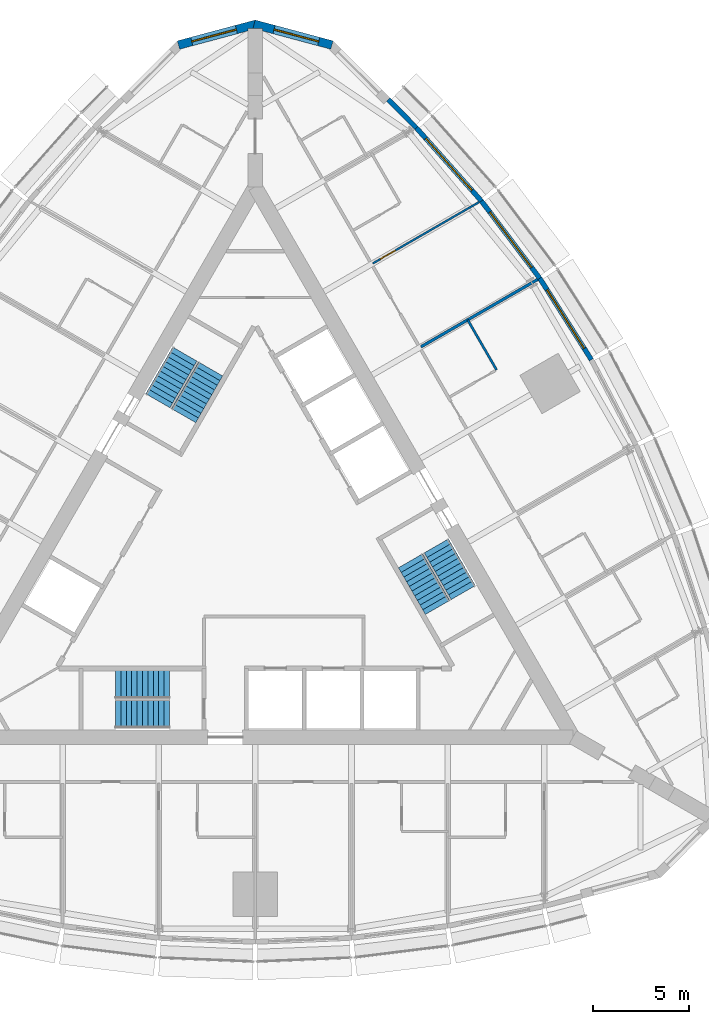
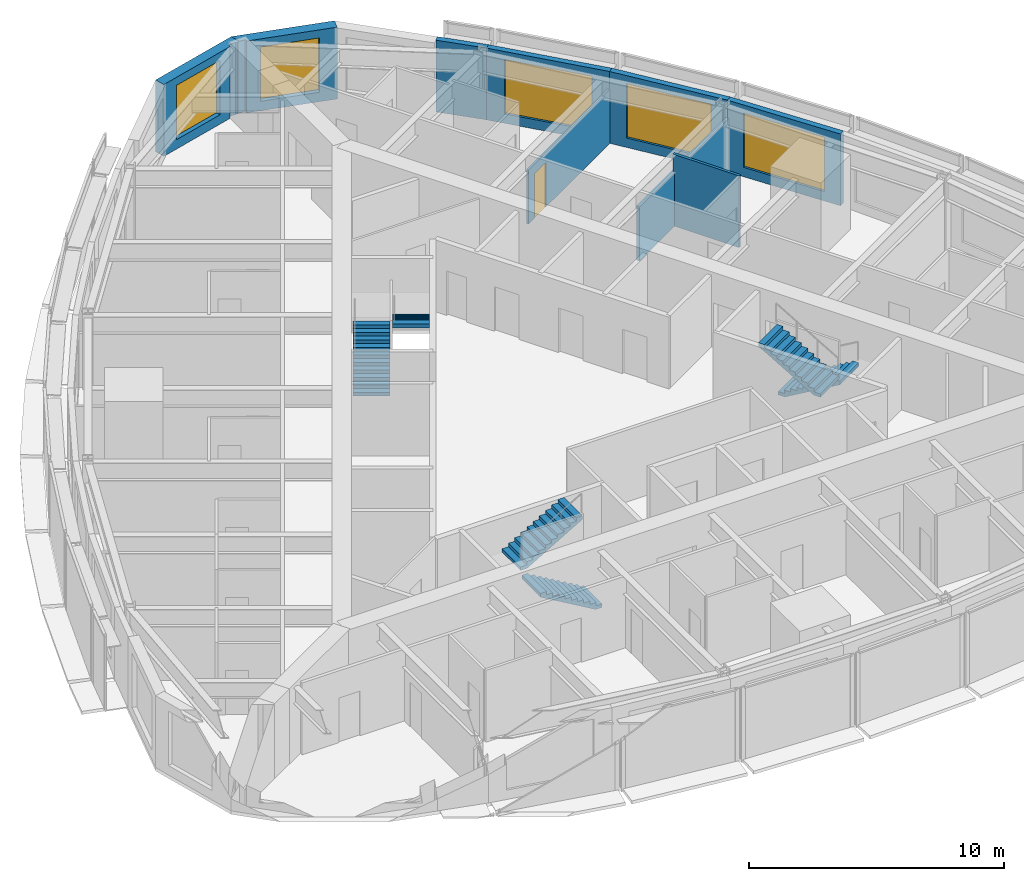
# One storey, part 14 of 15: 9 walls, 6 stair flights, 5 windows, 1 door, 6 openings, 3 elements without a shape of their own.
"""IFC4 building model written with IfcOpenShell, lengths in metres."""

from ifc_helpers import new_model, si_unit, direction, frame, frame_2d, origin, place, context, subcontext, project, spatial, polyline, rectangle, outline, extrude, material, layer, layer_set, type_object, element, fill, aggregate, save


model = new_model("IFC4")

# Units and contexts
model_context = context("Model", 3, precision=1e-05, world=origin(), true_north=direction((0.0, 1.0)))
body_context = subcontext(model_context, "Body", "Model", "MODEL_VIEW")
ifc_project = project(units=[si_unit("LENGTHUNIT", "METRE"), si_unit("AREAUNIT", "SQUARE_METRE"), si_unit("VOLUMEUNIT", "CUBIC_METRE"), si_unit("PLANEANGLEUNIT", "RADIAN"), si_unit("MASSUNIT", "GRAM", prefix="KILO")], contexts=[model_context])

# Site, building, storey
site_placement = place(None, origin())
site = spatial("IfcSite", under=ifc_project, at=site_placement, CompositionType="ELEMENT")
building_placement = place(site_placement, origin())
building = spatial("IfcBuilding", under=site, at=building_placement, Name="Trikona Tower", CompositionType="ELEMENT")
storey_placement = place(building_placement, frame((0.0, 0.0, 218.89990234375)))
storey = spatial("IfcBuildingStorey", under=building, at=storey_placement, Name="L58", CompositionType="ELEMENT", Elevation=218.89990234375)

# Wall
ifc_material_1 = material(Name="Metal stud and cement board", Category="gypsum")
ifc_layer_1 = layer(ifc_material_1, 0.1201171875)
ifc_layer_set_1 = layer_set([ifc_layer_1], Name="Bathroom wall 120")
wall_type_1 = type_object("IfcWallType", Name="Bathroom wall 120", PredefinedType="PLUMBINGWALL", material=ifc_layer_set_1)
wall_1_placement = place(storey_placement, frame((12.53271484375, 9.545166015625, 0.0), z_axis=(0.0, 0.0, 1.0), x_axis=(-0.499990139034, 0.866031096941, 0.0)))
element("IfcWall", 1, at=wall_1_placement, inside=storey, type_object=wall_type_1, Name="Bathroom wall 5808", PredefinedType="PLUMBINGWALL", context=body_context, shape_type="SweptSolid", body=[
    extrude(rectangle(XDim=3.0, YDim=0.1201171875, at=frame_2d((1.5, 0.0))), origin(), (0.0, 0.0, 1.0), 3.43505859375),
])

# Wall, opening, window
ifc_material_2 = material(Name="Brick-faced precast concrete", Category="masonry")
ifc_layer_2 = layer(ifc_material_2, 0.449951171875)
ifc_layer_set_2 = layer_set([ifc_layer_2], Name="Brick-faced corner wall 450")
wall_type_2 = type_object("IfcWallType", Name="Brick-faced corner wall 450", PredefinedType="SOLIDWALL", material=ifc_layer_set_2)
wall_2_placement = place(storey_placement, frame((3.9833984375, 26.41259765625, 0.0), z_axis=(0.0, 0.0, 1.0), x_axis=(-0.965920442324, 0.258839137498, 0.0)))
wall_2 = element("IfcWall", 2, at=wall_2_placement, inside=storey, type_object=wall_type_2, Name="External wall L58-21", PredefinedType="SOLIDWALL", context=body_context, shape_type="SweptSolid", body=[
    extrude(outline(polyline([(4.18408203125, 0.22509765625), (4.124267578125, 0.22509765625), (3.70556640625, 0.11279296875), (3.675537109375, 0.22509765625), (0.0, 0.22509765625), (0.0, -0.22509765625), (4.18408203125, -0.22509765625), (4.18408203125, 0.22509765625)])), origin(), (0.0, 0.0, 1.0), 3.43505859375),
])
opening_1_placement = place(wall_2_placement, frame((0.712646484375, 0.0, 0.449951171875)))
opening_1 = element("IfcOpeningElement", 3, at=opening_1_placement, cuts=wall_2, Name="Opening W2426", PredefinedType="OPENING", context=body_context, shape_type="SweptSolid", body=[
    extrude(rectangle(XDim=2.39990234375, YDim=2.60009765625, at=frame_2d((1.199951171875, 1.300048828125))), frame((0.0, 0.23486328125, 0.0), z_axis=(0.0, -1.0, 0.0), x_axis=(1.0, 0.0, 0.0)), (0.0, 0.0, 1.0), 0.469970703125),
])
ifc_material_3 = material(Name="Aluminium-framed double glazing", Category="aluminium")
window_type_1 = type_object("IfcWindowType", Name="Window 2400x2600", PartitioningType="SINGLE_PANEL", PredefinedType="WINDOW", material=ifc_material_3)
window_1_placement = place(opening_1_placement, origin())
window_1 = element("IfcWindow", 4, at=window_1_placement, inside=storey, type_object=window_type_1, Name="Window 5810", OverallHeight=2.60009765625, OverallWidth=2.39990234375, PartitioningType="SINGLE_PANEL", PredefinedType="WINDOW", context=body_context, shape_type="SweptSolid", body=[
    extrude(rectangle(XDim=2.39990234375, YDim=2.60009765625, at=frame_2d((1.199951171875, 1.300048828125))), frame((0.0, 0.030029296875, 0.0), z_axis=(0.0, -1.0, 0.0), x_axis=(1.0, 0.0, 0.0)), (0.0, 0.0, 1.0), 0.06005859375),
])
fill(opening_1, window_1)

wall_3_placement = place(storey_placement, frame((0.05810546875, 27.49560546875, 0.0), z_axis=(0.0, 0.0, 1.0), x_axis=(-0.965920442324, -0.258839137498, 0.0)))
wall_3 = element("IfcWall", 5, at=wall_3_placement, inside=storey, type_object=wall_type_2, Name="External wall L58-22", PredefinedType="SOLIDWALL", context=body_context, shape_type="SweptSolid", body=[
    extrude(outline(polyline([(4.18408203125, 0.22509765625), (0.5087890625, 0.22509765625), (0.478515625, 0.11279296875), (0.059814453125, 0.22509765625), (0.0, 0.22509765625), (0.0, -0.22509765625), (4.18408203125, -0.22509765625), (4.18408203125, 0.22509765625)])), origin(), (0.0, 0.0, 1.0), 3.43505859375),
])
opening_2_placement = place(wall_3_placement, frame((1.0712890625, 0.0, 0.449951171875)))
opening_2 = element("IfcOpeningElement", 6, at=opening_2_placement, cuts=wall_3, Name="Opening W2426", PredefinedType="OPENING", context=body_context, shape_type="SweptSolid", body=[
    extrude(rectangle(XDim=2.39990234375, YDim=2.60009765625, at=frame_2d((1.199951171875, 1.300048828125))), frame((0.0, 0.23486328125, 0.0), z_axis=(0.0, -1.0, 0.0), x_axis=(1.0, 0.0, 0.0)), (0.0, 0.0, 1.0), 0.469970703125),
])
window_2_placement = place(opening_2_placement, origin())
window_2 = element("IfcWindow", 7, at=window_2_placement, inside=storey, type_object=window_type_1, Name="Window 5811", OverallHeight=2.60009765625, OverallWidth=2.39990234375, PartitioningType="SINGLE_PANEL", PredefinedType="WINDOW", context=body_context, shape_type="SweptSolid", body=[
    extrude(rectangle(XDim=2.39990234375, YDim=2.60009765625, at=frame_2d((1.199951171875, 1.300048828125))), frame((0.0, 0.030029296875, 0.0), z_axis=(0.0, -1.0, 0.0), x_axis=(1.0, 0.0, 0.0)), (0.0, 0.0, 1.0), 0.06005859375),
])
fill(opening_2, window_2)

ifc_material_4 = material(Name="Insulated precast concrete spandrel panel", Category="concrete")
ifc_layer_3 = layer(ifc_material_4, 0.25)
ifc_layer_set_3 = layer_set([ifc_layer_3], Name="Inner skin wall 250")
wall_type_3 = type_object("IfcWallType", Name="Inner skin wall 250", PredefinedType="STANDARD", material=ifc_layer_set_3)
wall_4_placement = place(storey_placement, frame((17.45556640625, 10.072021484375, 0.0), z_axis=(0.0, 0.0, 1.0), x_axis=(-0.535220361449, 0.844712474568, 0.0)))
wall_4 = element("IfcWall", 8, at=wall_4_placement, inside=storey, type_object=wall_type_3, Name="External wall L58-16", PredefinedType="STANDARD", context=body_context, shape_type="SweptSolid", body=[
    extrude(rectangle(XDim=5.00439453125, YDim=0.25, at=frame_2d((2.502197265625, 0.0))), origin(), (0.0, 0.0, 1.0), 3.43505859375),
])
opening_3_placement = place(wall_4_placement, frame((0.7021484375, 0.0, 0.449951171875)))
opening_3 = element("IfcOpeningElement", 9, at=opening_3_placement, cuts=wall_4, Name="Opening W3626", PredefinedType="OPENING", context=body_context, shape_type="SweptSolid", body=[
    extrude(rectangle(XDim=3.60009765625, YDim=2.60009765625, at=frame_2d((1.800048828125, 1.300048828125))), frame((0.0, 0.135009765625, 0.0), z_axis=(0.0, -1.0, 0.0), x_axis=(1.0, 0.0, 0.0)), (0.0, 0.0, 1.0), 0.27001953125),
])
ifc_material_5 = material(Name="Aluminium-framed double glazing", Category="aluminium")
window_type_2 = type_object("IfcWindowType", Name="Window 3600x2600", PartitioningType="SINGLE_PANEL", PredefinedType="WINDOW", material=ifc_material_5)
window_3_placement = place(opening_3_placement, origin())
window_3 = element("IfcWindow", 10, at=window_3_placement, inside=storey, type_object=window_type_2, Name="Window 5808", OverallHeight=2.60009765625, OverallWidth=3.60009765625, PartitioningType="SINGLE_PANEL", PredefinedType="WINDOW", context=body_context, shape_type="SweptSolid", body=[
    extrude(rectangle(XDim=3.60009765625, YDim=2.60009765625, at=frame_2d((1.800048828125, 1.300048828125))), frame((0.0, 0.030029296875, 0.0), z_axis=(0.0, -1.0, 0.0), x_axis=(1.0, 0.0, 0.0)), (0.0, 0.0, 1.0), 0.06005859375),
])
fill(opening_3, window_3)

wall_5_placement = place(storey_placement, frame((14.782958984375, 14.290771484375, 0.0), z_axis=(0.0, 0.0, 1.0), x_axis=(-0.602408653511, 0.798187831388, 0.0)))
wall_5 = element("IfcWall", 11, at=wall_5_placement, inside=storey, type_object=wall_type_3, Name="External wall L58-17", PredefinedType="STANDARD", context=body_context, shape_type="SweptSolid", body=[
    extrude(rectangle(XDim=5.037841796875, YDim=0.25, at=frame_2d((2.51904296875, 0.0))), origin(), (0.0, 0.0, 1.0), 3.43505859375),
])
opening_4_placement = place(wall_5_placement, frame((0.718994140625, 0.0, 0.449951171875)))
opening_4 = element("IfcOpeningElement", 12, at=opening_4_placement, cuts=wall_5, Name="Opening W3626", PredefinedType="OPENING", context=body_context, shape_type="SweptSolid", body=[
    extrude(rectangle(XDim=3.60009765625, YDim=2.60009765625, at=frame_2d((1.800048828125, 1.300048828125))), frame((0.0, 0.135009765625, 0.0), z_axis=(0.0, -1.0, 0.0), x_axis=(1.0, 0.0, 0.0)), (0.0, 0.0, 1.0), 0.27001953125),
])
window_4_placement = place(opening_4_placement, origin())
window_4 = element("IfcWindow", 13, at=window_4_placement, inside=storey, type_object=window_type_2, Name="Window 5809", OverallHeight=2.60009765625, OverallWidth=3.60009765625, PartitioningType="SINGLE_PANEL", PredefinedType="WINDOW", context=body_context, shape_type="SweptSolid", body=[
    extrude(rectangle(XDim=3.60009765625, YDim=2.60009765625, at=frame_2d((1.800048828125, 1.300048828125))), frame((0.0, 0.030029296875, 0.0), z_axis=(0.0, -1.0, 0.0), x_axis=(1.0, 0.0, 0.0)), (0.0, 0.0, 1.0), 0.06005859375),
])
fill(opening_4, window_4)

wall_6_placement = place(storey_placement, frame((11.75439453125, 18.304443359375, 0.0), z_axis=(0.0, 0.0, 1.0), x_axis=(-0.664348996191, 0.747422511876, 0.0)))
wall_6 = element("IfcWall", 14, at=wall_6_placement, inside=storey, type_object=wall_type_3, Name="External wall L58-18", PredefinedType="STANDARD", context=body_context, shape_type="SweptSolid", body=[
    extrude(rectangle(XDim=5.104736328125, YDim=0.25, at=frame_2d((2.55224609375, 0.0))), origin(), (0.0, 0.0, 1.0), 3.43505859375),
])
opening_5_placement = place(wall_6_placement, frame((0.75244140625, 0.0, 0.449951171875)))
opening_5 = element("IfcOpeningElement", 15, at=opening_5_placement, cuts=wall_6, Name="Opening W3626", PredefinedType="OPENING", context=body_context, shape_type="SweptSolid", body=[
    extrude(rectangle(XDim=3.60009765625, YDim=2.60009765625, at=frame_2d((1.800048828125, 1.300048828125))), frame((0.0, 0.135009765625, 0.0), z_axis=(0.0, -1.0, 0.0), x_axis=(1.0, 0.0, 0.0)), (0.0, 0.0, 1.0), 0.27001953125),
])
window_5_placement = place(opening_5_placement, origin())
window_5 = element("IfcWindow", 16, at=window_5_placement, inside=storey, type_object=window_type_2, Name="Window 5809.1", OverallHeight=2.60009765625, OverallWidth=3.60009765625, PartitioningType="SINGLE_PANEL", PredefinedType="WINDOW", context=body_context, shape_type="SweptSolid", body=[
    extrude(rectangle(XDim=3.60009765625, YDim=2.60009765625, at=frame_2d((1.800048828125, 1.300048828125))), frame((0.0, 0.030029296875, 0.0), z_axis=(0.0, -1.0, 0.0), x_axis=(1.0, 0.0, 0.0)), (0.0, 0.0, 1.0), 0.06005859375),
])
fill(opening_5, window_5)

# Walls
wall_7_placement = place(storey_placement, frame((8.36767578125, 22.11474609375, 0.0), z_axis=(0.0, 0.0, 1.0), x_axis=(-0.704149946111, 0.710051303352, 0.0)))
element("IfcWall", 17, at=wall_7_placement, inside=storey, type_object=wall_type_3, Name="External wall L58-19", PredefinedType="STANDARD", context=body_context, shape_type="SweptSolid", body=[
    extrude(rectangle(XDim=2.068603515625, YDim=0.25, at=frame_2d((1.0341796875, 0.0))), origin(), (0.0, 0.0, 1.0), 3.43505859375),
])
ifc_material_6 = material(Name="Metal stud and gypsum board, 1-hour acoustic", Category="gypsum")
ifc_layer_4 = layer(ifc_material_6, 0.14990234375)
ifc_layer_set_4 = layer_set([ifc_layer_4], Name="Party wall 150")
wall_type_4 = type_object("IfcWallType", Name="Party wall 150", PredefinedType="PARTITIONING", material=ifc_layer_set_4)
wall_8_placement = place(storey_placement, frame((8.60791015625, 10.743408203125, 0.0), z_axis=(0.0, 0.0, 1.0), x_axis=(0.86604781716, 0.499961176886, 0.0)))
element("IfcWall", 18, at=wall_8_placement, inside=storey, type_object=wall_type_4, Name="Partition L58 F2 u5", PredefinedType="PARTITIONING", context=body_context, shape_type="SweptSolid", body=[
    extrude(rectangle(XDim=6.99365234375, YDim=0.14990234375, at=frame_2d((3.496826171875, 0.0))), origin(), (0.0, 0.0, 1.0), 2.58935546875),
])

# Wall, opening, door
ifc_material_7 = material(Name="Metal stud and gypsum board, acoustic", Category="gypsum")
ifc_layer_5 = layer(ifc_material_7, 0.10009765625)
ifc_layer_set_5 = layer_set([ifc_layer_5], Name="Suite partition 100")
wall_type_5 = type_object("IfcWallType", Name="Suite partition 100", PredefinedType="PARTITIONING", material=ifc_layer_set_5)
wall_9_placement = place(storey_placement, frame((6.10791015625, 15.073486328125, 0.0), z_axis=(0.0, 0.0, 1.0), x_axis=(0.866035028144, 0.499983329749, 0.0)))
wall_9 = element("IfcWall", 19, at=wall_9_placement, inside=storey, type_object=wall_type_5, Name="Suite partition L58 F2 u10", PredefinedType="PARTITIONING", context=body_context, shape_type="SweptSolid", body=[
    extrude(rectangle(XDim=6.372802734375, YDim=0.10009765625, at=frame_2d((3.1865234375, 0.0))), origin(), (0.0, 0.0, 1.0), 2.58935546875),
])
opening_6_placement = place(wall_9_placement, frame((0.449951171875, 0.0, 0.0)))
opening_6 = element("IfcOpeningElement", 20, at=opening_6_placement, cuts=wall_9, Name="Opening D13", PredefinedType="OPENING", context=body_context, shape_type="SweptSolid", body=[
    extrude(rectangle(XDim=0.89990234375, YDim=2.1298828125, at=frame_2d((0.449951171875, 1.06494140625))), frame((0.0, 0.06005859375, 0.0), z_axis=(0.0, -1.0, 0.0), x_axis=(1.0, 0.0, 0.0)), (0.0, 0.0, 1.0), 0.1201171875),
])
ifc_material_8 = material(Name="Steel door frame with solid-core timber leaf", Category="steel")
door_type = type_object("IfcDoorType", Name="Suite door 900x2130", OperationType="SINGLE_SWING_LEFT", PredefinedType="DOOR", material=ifc_material_8)
door_placement = place(opening_6_placement, origin())
door = element("IfcDoor", 21, at=door_placement, inside=storey, type_object=door_type, Name="Suite door 5809", OperationType="SINGLE_SWING_LEFT", OverallHeight=2.1298828125, OverallWidth=0.89990234375, PredefinedType="DOOR", context=body_context, shape_type="SweptSolid", body=[
    extrude(rectangle(XDim=0.89990234375, YDim=2.1298828125, at=frame_2d((0.449951171875, 1.06494140625))), frame((0.0, 0.02490234375, 0.0), z_axis=(0.0, -1.0, 0.0), x_axis=(1.0, 0.0, 0.0)), (0.0, 0.0, 1.0), 0.050048828125),
])
fill(opening_6, door)

# Stair, stair flights
ifc_material_9 = material(Name="Concrete f'c 5000 psi", Category="concrete")
stair_type = type_object("IfcStairType", Name="Core stair", PredefinedType="HALF_TURN_STAIR", material=ifc_material_9)
stair_1_placement = place(storey_placement, origin())
stair_1 = element("IfcStair", 22, at=stair_1_placement, inside=storey, type_object=stair_type, Name="Stair A L58", PredefinedType="HALF_TURN_STAIR")
ifc_material_10 = material(Name="Concrete f'c 5000 psi", Category="concrete")
stair_flight_type = type_object("IfcStairFlightType", Name="Core stair flight 1450", PredefinedType="STRAIGHT", material=ifc_material_10)
stair_flight_1_placement = place(storey_placement, frame((-4.449951171875, -8.351318359375, 0.0), z_axis=(0.0, 0.0, 1.0), x_axis=(-1.0, 0.0, 0.0)))
stair_flight_1 = element("IfcStairFlight", 23, at=stair_flight_1_placement, type_object=stair_flight_type, Name="ST-A flight 1", NumberOfRisers=11, NumberOfTreads=10, PredefinedType="STRAIGHT", RiserHeight=0.163636, TreadLength=0.28, context=body_context, shape_type="SweptSolid", body=[
    extrude(outline(polyline([(0.0, 0.0), (0.0, 0.16357421875), (0.280029296875, 0.16357421875), (0.280029296875, 0.327392578125), (0.56005859375, 0.327392578125), (0.56005859375, 0.490966796875), (0.840087890625, 0.490966796875), (0.840087890625, 0.654541015625), (1.1201171875, 0.654541015625), (1.1201171875, 0.818115234375), (1.39990234375, 0.818115234375), (1.39990234375, 0.98193359375), (1.679931640625, 0.98193359375), (1.679931640625, 1.1455078125), (1.9599609375, 1.1455078125), (1.9599609375, 1.30908203125), (2.239990234375, 1.30908203125), (2.239990234375, 1.47265625), (2.52001953125, 1.47265625), (2.52001953125, 1.636474609375), (2.800048828125, 1.636474609375), (2.800048828125, 1.800048828125), (2.800048828125, 1.462646484375), (0.297119140625, 0.0), (0.0, 0.0)])), frame((0.0, 0.72509765625, 0.0), z_axis=(0.0, -1.0, 0.0), x_axis=(1.0, 0.0, 0.0)), (0.0, 0.0, 1.0), 1.449951171875),
])
stair_flight_2_placement = place(storey_placement, frame((-7.25, -6.80126953125, 1.800048828125), z_axis=(0.0, 0.0, 1.0), x_axis=(1.0, 0.0, 0.0)))
stair_flight_2 = element("IfcStairFlight", 24, at=stair_flight_2_placement, type_object=stair_flight_type, Name="ST-A flight 2", NumberOfRisers=11, NumberOfTreads=10, PredefinedType="STRAIGHT", RiserHeight=0.163636, TreadLength=0.28, context=body_context, shape_type="SweptSolid", body=[
    extrude(outline(polyline([(0.0, 0.0), (0.0, 0.16357421875), (0.280029296875, 0.16357421875), (0.280029296875, 0.327392578125), (0.56005859375, 0.327392578125), (0.56005859375, 0.490966796875), (0.840087890625, 0.490966796875), (0.840087890625, 0.654541015625), (1.1201171875, 0.654541015625), (1.1201171875, 0.818115234375), (1.39990234375, 0.818115234375), (1.39990234375, 0.98193359375), (1.679931640625, 0.98193359375), (1.679931640625, 1.1455078125), (1.9599609375, 1.1455078125), (1.9599609375, 1.30908203125), (2.239990234375, 1.30908203125), (2.239990234375, 1.47265625), (2.52001953125, 1.47265625), (2.52001953125, 1.636474609375), (2.800048828125, 1.636474609375), (2.800048828125, 1.800048828125), (2.800048828125, 1.462646484375), (0.297119140625, 0.0), (0.0, 0.0)])), frame((0.0, 0.72509765625, 0.0), z_axis=(0.0, -1.0, 0.0), x_axis=(1.0, 0.0, 0.0)), (0.0, 0.0, 1.0), 1.449951171875),
])
aggregate(stair_1, [stair_flight_1, stair_flight_2])

stair_2_placement = place(storey_placement, origin())
stair_2 = element("IfcStair", 25, at=stair_2_placement, inside=storey, type_object=stair_type, Name="Stair B L58", PredefinedType="HALF_TURN_STAIR")
stair_flight_3_placement = place(storey_placement, frame((9.407470703125, 0.408447265625, 0.0), z_axis=(0.0, 0.0, 1.0), x_axis=(0.5, -0.866025403784, 0.0)))
stair_flight_3 = element("IfcStairFlight", 26, at=stair_flight_3_placement, type_object=stair_flight_type, Name="ST-B flight 1", NumberOfRisers=11, NumberOfTreads=10, PredefinedType="STRAIGHT", RiserHeight=0.163636, TreadLength=0.28, context=body_context, shape_type="SweptSolid", body=[
    extrude(outline(polyline([(0.0, 0.0), (0.0, 0.16357421875), (0.280029296875, 0.16357421875), (0.280029296875, 0.327392578125), (0.56005859375, 0.327392578125), (0.56005859375, 0.490966796875), (0.840087890625, 0.490966796875), (0.840087890625, 0.654541015625), (1.1201171875, 0.654541015625), (1.1201171875, 0.818115234375), (1.39990234375, 0.818115234375), (1.39990234375, 0.98193359375), (1.679931640625, 0.98193359375), (1.679931640625, 1.1455078125), (1.9599609375, 1.1455078125), (1.9599609375, 1.30908203125), (2.239990234375, 1.30908203125), (2.239990234375, 1.47265625), (2.52001953125, 1.47265625), (2.52001953125, 1.636474609375), (2.800048828125, 1.636474609375), (2.800048828125, 1.800048828125), (2.800048828125, 1.462646484375), (0.297119140625, 0.0), (0.0, 0.0)])), frame((0.0, 0.72509765625, 0.0), z_axis=(0.0, -1.0, 0.0), x_axis=(1.0, 0.0, 0.0)), (0.0, 0.0, 1.0), 1.449951171875),
])
stair_flight_4_placement = place(storey_placement, frame((9.465087890625, -2.79150390625, 1.800048828125), z_axis=(0.0, 0.0, 1.0), x_axis=(-0.5, 0.866025403784, 0.0)))
stair_flight_4 = element("IfcStairFlight", 27, at=stair_flight_4_placement, type_object=stair_flight_type, Name="ST-B flight 2", NumberOfRisers=11, NumberOfTreads=10, PredefinedType="STRAIGHT", RiserHeight=0.163636, TreadLength=0.28, context=body_context, shape_type="SweptSolid", body=[
    extrude(outline(polyline([(0.0, 0.0), (0.0, 0.16357421875), (0.280029296875, 0.16357421875), (0.280029296875, 0.327392578125), (0.56005859375, 0.327392578125), (0.56005859375, 0.490966796875), (0.840087890625, 0.490966796875), (0.840087890625, 0.654541015625), (1.1201171875, 0.654541015625), (1.1201171875, 0.818115234375), (1.39990234375, 0.818115234375), (1.39990234375, 0.98193359375), (1.679931640625, 0.98193359375), (1.679931640625, 1.1455078125), (1.9599609375, 1.1455078125), (1.9599609375, 1.30908203125), (2.239990234375, 1.30908203125), (2.239990234375, 1.47265625), (2.52001953125, 1.47265625), (2.52001953125, 1.636474609375), (2.800048828125, 1.636474609375), (2.800048828125, 1.800048828125), (2.800048828125, 1.462646484375), (0.297119140625, 0.0), (0.0, 0.0)])), frame((0.0, 0.72509765625, 0.0), z_axis=(0.0, -1.0, 0.0), x_axis=(1.0, 0.0, 0.0)), (0.0, 0.0, 1.0), 1.449951171875),
])
aggregate(stair_2, [stair_flight_3, stair_flight_4])

stair_3_placement = place(storey_placement, origin())
stair_3 = element("IfcStair", 28, at=stair_3_placement, inside=storey, type_object=stair_type, Name="Stair C L58", PredefinedType="HALF_TURN_STAIR")
stair_flight_5_placement = place(storey_placement, frame((-5.057373046875, 7.94287109375, 0.0), z_axis=(0.0, 0.0, 1.0), x_axis=(0.5, 0.866025403784, 0.0)))
stair_flight_5 = element("IfcStairFlight", 29, at=stair_flight_5_placement, type_object=stair_flight_type, Name="ST-C flight 1", NumberOfRisers=11, NumberOfTreads=10, PredefinedType="STRAIGHT", RiserHeight=0.163636, TreadLength=0.28, context=body_context, shape_type="SweptSolid", body=[
    extrude(outline(polyline([(0.0, 0.0), (0.0, 0.16357421875), (0.280029296875, 0.16357421875), (0.280029296875, 0.327392578125), (0.56005859375, 0.327392578125), (0.56005859375, 0.490966796875), (0.840087890625, 0.490966796875), (0.840087890625, 0.654541015625), (1.1201171875, 0.654541015625), (1.1201171875, 0.818115234375), (1.39990234375, 0.818115234375), (1.39990234375, 0.98193359375), (1.679931640625, 0.98193359375), (1.679931640625, 1.1455078125), (1.9599609375, 1.1455078125), (1.9599609375, 1.30908203125), (2.239990234375, 1.30908203125), (2.239990234375, 1.47265625), (2.52001953125, 1.47265625), (2.52001953125, 1.636474609375), (2.800048828125, 1.636474609375), (2.800048828125, 1.800048828125), (2.800048828125, 1.462646484375), (0.297119140625, 0.0), (0.0, 0.0)])), frame((0.0, 0.72509765625, 0.0), z_axis=(0.0, -1.0, 0.0), x_axis=(1.0, 0.0, 0.0)), (0.0, 0.0, 1.0), 1.449951171875),
])
stair_flight_6_placement = place(storey_placement, frame((-2.315185546875, 9.5927734375, 1.800048828125), z_axis=(0.0, 0.0, 1.0), x_axis=(-0.5, -0.866025403784, 0.0)))
stair_flight_6 = element("IfcStairFlight", 30, at=stair_flight_6_placement, type_object=stair_flight_type, Name="ST-C flight 2", NumberOfRisers=11, NumberOfTreads=10, PredefinedType="STRAIGHT", RiserHeight=0.163636, TreadLength=0.28, context=body_context, shape_type="SweptSolid", body=[
    extrude(outline(polyline([(0.0, 0.0), (0.0, 0.16357421875), (0.280029296875, 0.16357421875), (0.280029296875, 0.327392578125), (0.56005859375, 0.327392578125), (0.56005859375, 0.490966796875), (0.840087890625, 0.490966796875), (0.840087890625, 0.654541015625), (1.1201171875, 0.654541015625), (1.1201171875, 0.818115234375), (1.39990234375, 0.818115234375), (1.39990234375, 0.98193359375), (1.679931640625, 0.98193359375), (1.679931640625, 1.1455078125), (1.9599609375, 1.1455078125), (1.9599609375, 1.30908203125), (2.239990234375, 1.30908203125), (2.239990234375, 1.47265625), (2.52001953125, 1.47265625), (2.52001953125, 1.636474609375), (2.800048828125, 1.636474609375), (2.800048828125, 1.800048828125), (2.800048828125, 1.462646484375), (0.297119140625, 0.0), (0.0, 0.0)])), frame((0.0, 0.72509765625, 0.0), z_axis=(0.0, -1.0, 0.0), x_axis=(1.0, 0.0, 0.0)), (0.0, 0.0, 1.0), 1.449951171875),
])
aggregate(stair_3, [stair_flight_5, stair_flight_6])

save(model, "model.ifc")
